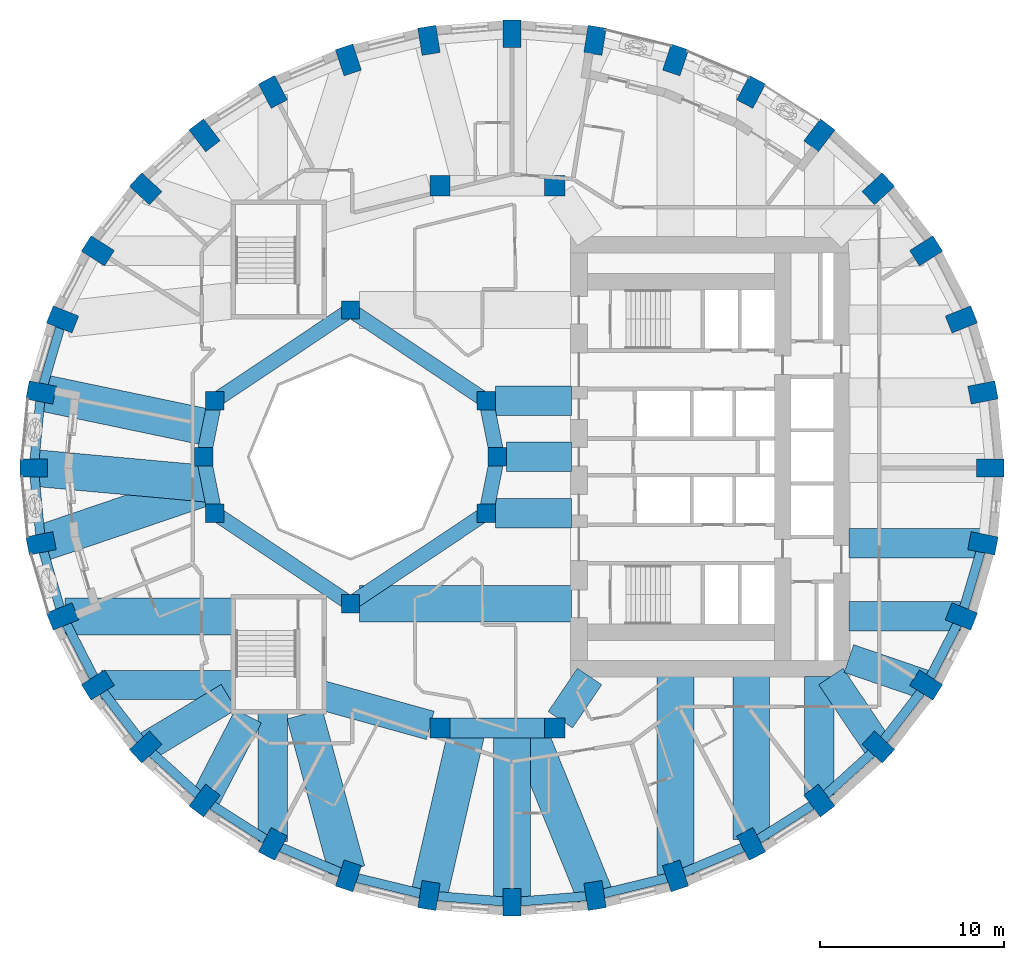
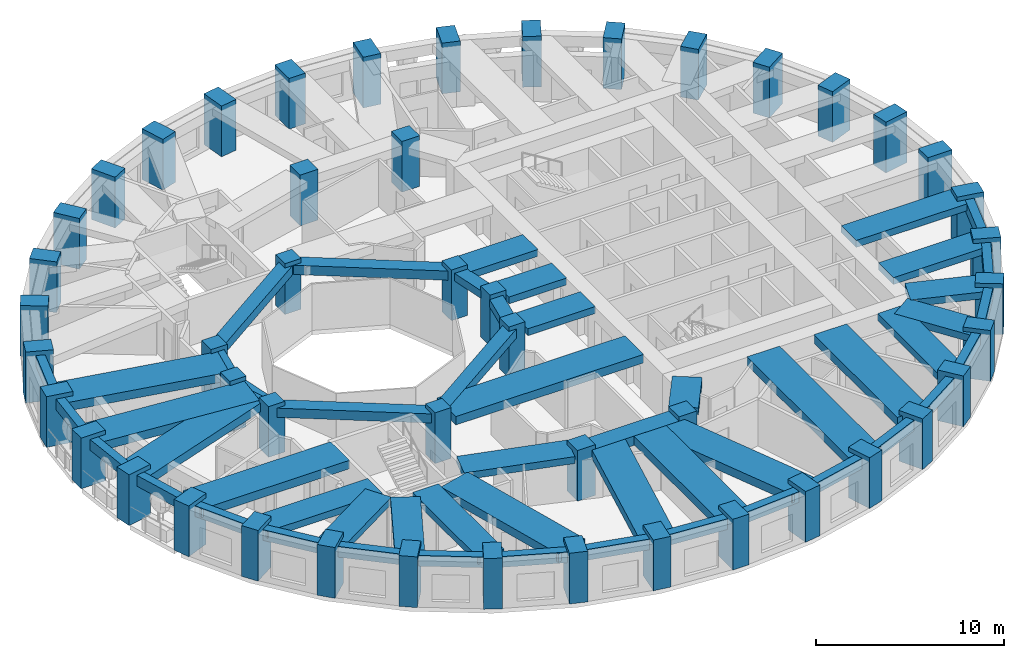
# One storey, part 1 of 12: 53 beams, 48 columns.
"""IFC4 building model written with IfcOpenShell, lengths in metres."""

from ifc_helpers import new_model, si_unit, direction, frame, origin, origin_2d, place, context, subcontext, project, spatial, rectangle, extrude, material, material_profile, profile_set, type_object, element, save


model = new_model("IFC4")

# Units and contexts
model_context = context("Model", 3, precision=1e-05, world=origin(), true_north=direction((0.0, 1.0)))
body_context = subcontext(model_context, "Body", "Model", "MODEL_VIEW")
ifc_project = project(units=[si_unit("LENGTHUNIT", "METRE"), si_unit("AREAUNIT", "SQUARE_METRE"), si_unit("VOLUMEUNIT", "CUBIC_METRE"), si_unit("PLANEANGLEUNIT", "RADIAN"), si_unit("MASSUNIT", "GRAM", prefix="KILO")], contexts=[model_context])

# Site, building, storey
site_placement = place(None, origin())
site = spatial("IfcSite", under=ifc_project, at=site_placement, CompositionType="ELEMENT")
building_placement = place(site_placement, origin())
building = spatial("IfcBuilding", under=site, at=building_placement, Name="Taillehof Tower", CompositionType="ELEMENT")
storey_placement = place(building_placement, frame((0.0, 0.0, 105.39990234375)))
storey = spatial("IfcBuildingStorey", under=building, at=storey_placement, Name="L29", CompositionType="ELEMENT", Elevation=105.39990234375)

# Columns
ifc_material_1 = material(Name="Concrete C50/60", Category="concrete")
ifc_material_profile_1 = material_profile(ifc_material_1, rectangle(XDim=1.0, YDim=1.0, at=origin_2d()), Name="RC 1000x1000")
ifc_profile_set_1 = profile_set([ifc_material_profile_1], Name="Concrete C50/60")
column_type_1 = type_object("IfcColumnType", Name="Atrium ring column C50/60 1000x1000", PredefinedType="COLUMN", material=ifc_profile_set_1)
for number, where, z_axis, x_axis, name in (
    (1, (0.0, 0.0, 0.0), (0.0, 0.0, 1.0), (1.0, 0.0, 0.0), "Column AC01"),
    (2, (-0.60888671875, 3.0615234375, 0.0), (0.0, 0.0, 1.0), (1.0, 0.0, 0.0), "Column AC02"),
    (3, (-8.0, 8.0, 0.0), (0.0, 0.0, 1.0), (1.0, 0.0, 0.0), "Column AC05"),
    (4, (-15.39111328125, 3.0615234375, 0.0), (0.0, 0.0, 1.0), (1.0, 0.0, 0.0), "Column AC08"),
    (5, (-16.0, 0.0, 0.0), (0.0, 0.0, 1.0), (1.0, 0.0, 0.0), "Column AC09"),
    (6, (-15.39111328125, -3.0615234375, 0.0), (0.0, 0.0, 1.0), (1.0, 0.0, 0.0), "Column AC10"),
    (7, (-8.0, -8.0, 0.0), (0.0, 0.0, 1.0), (1.0, 0.0, 0.0), "Column AC13"),
    (8, (-0.60888671875, -3.0615234375, 0.0), (0.0, 0.0, 1.0), (1.0, 0.0, 0.0), "Column AC16"),
):
    element("IfcColumn", number, at=place(storey_placement, frame(where, z_axis=z_axis, x_axis=x_axis)), inside=storey, type_object=column_type_1, Name=name, PredefinedType="COLUMN", context=body_context, shape_type="SweptSolid", body=[
        extrude(rectangle(XDim=1.0, YDim=1.0, at=origin_2d()), origin(), (0.0, 0.0, 1.0), 3.300048828125),
    ])
ifc_material_2 = material(Name="Concrete C50/60", Category="concrete")
ifc_material_profile_2 = material_profile(ifc_material_2, rectangle(XDim=1.10009765625, YDim=1.10009765625, at=origin_2d()), Name="RC 1100x1100")
ifc_profile_set_2 = profile_set([ifc_material_profile_2], Name="Concrete C50/60")
column_type_2 = type_object("IfcColumnType", Name="Mid-ring column C50/60 1100x1100", PredefinedType="COLUMN", material=ifc_profile_set_2)
for number, where, z_axis, x_axis, name in (
    (9, (3.125732421875, 14.772216796875, 0.0), (0.0, 0.0, 1.0), (1.0, 0.0, 0.0), "Column MC05"),
    (10, (-3.125732421875, 14.772216796875, 0.0), (0.0, 0.0, 1.0), (1.0, 0.0, 0.0), "Column MC06"),
    (11, (-3.125732421875, -14.772216796875, 0.0), (0.0, 0.0, 1.0), (1.0, 0.0, 0.0), "Column MC14"),
    (12, (3.125732421875, -14.772216796875, 0.0), (0.0, 0.0, 1.0), (1.0, 0.0, 0.0), "Column MC15"),
):
    element("IfcColumn", number, at=place(storey_placement, frame(where, z_axis=z_axis, x_axis=x_axis)), inside=storey, type_object=column_type_2, Name=name, PredefinedType="COLUMN", context=body_context, shape_type="SweptSolid", body=[
        extrude(rectangle(XDim=1.10009765625, YDim=1.10009765625, at=origin_2d()), origin(), (0.0, 0.0, 1.0), 3.300048828125),
    ])
ifc_material_3 = material(Name="Concrete C70/85", Category="concrete")
ifc_material_profile_3 = material_profile(ifc_material_3, rectangle(XDim=1.5, YDim=1.0, at=origin_2d()), Name="RC 1500x1000")
ifc_profile_set_3 = profile_set([ifc_material_profile_3], Name="Concrete C70/85")
column_type_3 = type_object("IfcColumnType", Name="Ring column C70/85 1500x1000", PredefinedType="COLUMN", material=ifc_profile_set_3)
for number, where, z_axis, x_axis, name in (
    (13, (26.85009765625, -0.60009765625, 0.0), (0.0, 0.0, 1.0), (1.0, 0.0, 0.0), "Ring column RC01"),
    (14, (26.454345703125, 3.5068359375, 0.0), (0.0, 0.0, 1.0), (0.981757466121, 0.190137523166, 0.0), "Ring column RC02"),
    (15, (25.279052734375, 7.48876953125, 0.0), (0.0, 0.0, 1.0), (0.928550110352, 0.371207075048, 0.0), "Ring column RC03"),
    (16, (23.35986328125, 11.22509765625, 0.0), (0.0, 0.0, 1.0), (0.844511454562, 0.535537489923, 0.0), "Ring column RC04"),
    (17, (20.75537109375, 14.60205078125, 0.0), (0.0, 0.0, 1.0), (0.735332034083, 0.677707016085, 0.0), "Ring column RC05"),
    (18, (17.544677734375, 17.516845703125, 0.0), (0.0, 0.0, 1.0), (0.607074228939, 0.794645128694, 0.0), "Ring column RC06"),
    (19, (13.824951171875, 19.881591796875, 0.0), (0.0, 0.0, 1.0), (0.465283017627, 0.885161970211, 0.0), "Ring column RC07"),
    (20, (9.709716796875, 21.623779296875, 0.0), (0.0, 0.0, 1.0), (0.314554972703, 0.949239258116, 0.0), "Ring column RC08"),
    (21, (5.323486328125, 22.690673828125, 0.0), (0.0, 0.0, 1.0), (0.158507038215, 0.987357847407, 0.0), "Ring column RC09"),
    (22, (0.800048828125, 23.050048828125, 0.0), (0.0, 0.0, 1.0), (0.0, 1.0, 0.0), "Ring column RC10"),
    (23, (-3.7236328125, 22.690673828125, 0.0), (0.0, 0.0, 1.0), (-0.158507038215, 0.987357847407, 0.0), "Ring column RC11"),
    (24, (-8.109619140625, 21.623779296875, 0.0), (0.0, 0.0, 1.0), (-0.314554972703, 0.949239258116, 0.0), "Ring column RC12"),
    (25, (-12.22509765625, 19.881591796875, 0.0), (0.0, 0.0, 1.0), (-0.465283017627, 0.885161970211, 0.0), "Ring column RC13"),
    (26, (-15.944580078125, 17.516845703125, 0.0), (0.0, 0.0, 1.0), (-0.607074228939, 0.794645128694, 0.0), "Ring column RC14"),
    (27, (-19.155517578125, 14.60205078125, 0.0), (0.0, 0.0, 1.0), (-0.735332034083, 0.677707016085, 0.0), "Ring column RC15"),
    (28, (-21.760009765625, 11.22509765625, 0.0), (0.0, 0.0, 1.0), (-0.844511454562, 0.535537489923, 0.0), "Ring column RC16"),
    (29, (-23.678955078125, 7.48876953125, 0.0), (0.0, 0.0, 1.0), (-0.928550110352, 0.371207075048, 0.0), "Ring column RC17"),
    (30, (-24.854248046875, 3.5068359375, 0.0), (0.0, 0.0, 1.0), (-0.981757466121, 0.190137523166, 0.0), "Ring column RC18"),
    (31, (-25.25, -0.60009765625, 0.0), (0.0, 0.0, 1.0), (-1.0, 0.0, 0.0), "Ring column RC19"),
    (32, (-24.854248046875, -4.706787109375, 0.0), (0.0, 0.0, 1.0), (-0.981757466121, -0.190137523166, 0.0), "Ring column RC20"),
    (33, (-23.678955078125, -8.688720703125, 0.0), (0.0, 0.0, 1.0), (-0.928550110352, -0.371207075048, 0.0), "Ring column RC21"),
    (34, (-21.760009765625, -12.425048828125, 0.0), (0.0, 0.0, 1.0), (-0.844511454562, -0.535537489923, 0.0), "Ring column RC22"),
    (35, (-19.155517578125, -15.802001953125, 0.0), (0.0, 0.0, 1.0), (-0.735332034083, -0.677707016085, 0.0), "Ring column RC23"),
    (36, (-15.944580078125, -18.717041015625, 0.0), (0.0, 0.0, 1.0), (-0.607074228939, -0.794645128694, 0.0), "Ring column RC24"),
    (37, (-12.22509765625, -21.08154296875, 0.0), (0.0, 0.0, 1.0), (-0.465283017627, -0.885161970211, 0.0), "Ring column RC25"),
    (38, (-8.109619140625, -22.82373046875, 0.0), (0.0, 0.0, 1.0), (-0.314554972703, -0.949239258116, 0.0), "Ring column RC26"),
    (39, (-3.7236328125, -23.890625, 0.0), (0.0, 0.0, 1.0), (-0.158507038215, -0.987357847407, 0.0), "Ring column RC27"),
    (40, (0.800048828125, -24.25, 0.0), (0.0, 0.0, 1.0), (0.0, -1.0, 0.0), "Ring column RC28"),
    (41, (5.323486328125, -23.890625, 0.0), (0.0, 0.0, 1.0), (0.158507038215, -0.987357847407, 0.0), "Ring column RC29"),
    (42, (9.709716796875, -22.82373046875, 0.0), (0.0, 0.0, 1.0), (0.314554972703, -0.949239258116, 0.0), "Ring column RC30"),
    (43, (13.824951171875, -21.08154296875, 0.0), (0.0, 0.0, 1.0), (0.465283017627, -0.885161970211, 0.0), "Ring column RC31"),
    (44, (17.544677734375, -18.717041015625, 0.0), (0.0, 0.0, 1.0), (0.607074228939, -0.794645128694, 0.0), "Ring column RC32"),
    (45, (20.75537109375, -15.802001953125, 0.0), (0.0, 0.0, 1.0), (0.735332034083, -0.677707016085, 0.0), "Ring column RC33"),
    (46, (23.35986328125, -12.425048828125, 0.0), (0.0, 0.0, 1.0), (0.844511454562, -0.535537489923, 0.0), "Ring column RC34"),
    (47, (25.279052734375, -8.688720703125, 0.0), (0.0, 0.0, 1.0), (0.928550110352, -0.371207075048, 0.0), "Ring column RC35"),
    (48, (26.454345703125, -4.706787109375, 0.0), (0.0, 0.0, 1.0), (0.981757466121, -0.190137523166, 0.0), "Ring column RC36"),
):
    element("IfcColumn", number, at=place(storey_placement, frame(where, z_axis=z_axis, x_axis=x_axis)), inside=storey, type_object=column_type_3, Name=name, PredefinedType="COLUMN", context=body_context, shape_type="SweptSolid", body=[
        extrude(rectangle(XDim=1.5, YDim=1.0, at=origin_2d()), origin(), (0.0, 0.0, 1.0), 3.300048828125),
    ])

# Beams
ifc_material_4 = material(Name="Concrete C50/60", Category="concrete")
ifc_material_profile_4 = material_profile(ifc_material_4, rectangle(XDim=0.800048828125, YDim=0.5, at=origin_2d()), Name="RC 800x500")
ifc_profile_set_4 = profile_set([ifc_material_profile_4], Name="Concrete C50/60")
beam_type_1 = type_object("IfcBeamType", Name="Atrium ring beam C50/60 800x500", PredefinedType="BEAM", material=ifc_profile_set_4)
for number, where, z_axis, x_axis, name in (
    (49, (0.0, 0.0, 2.77001953125), (-0.195063155143, 0.980790683839, 0.0), (-0.980790683839, -0.195063155143, 0.0), "Atrium ring beam AB01"),
    (50, (-15.39111328125, 3.0615234375, 2.77001953125), (-0.195063155143, -0.980790683839, 0.0), (0.980790683839, -0.195063155143, 0.0), "Atrium ring beam AB04"),
    (51, (-16.0, 0.0, 2.77001953125), (0.195063155143, -0.980790683839, 0.0), (0.980790683839, 0.195063155143, 0.0), "Atrium ring beam AB05"),
    (52, (-0.60888671875, -3.0615234375, 2.77001953125), (0.195063155143, 0.980790683839, 0.0), (-0.980790683839, 0.195063155143, 0.0), "Atrium ring beam AB08"),
):
    element("IfcBeam", number, at=place(storey_placement, frame(where, z_axis=z_axis, x_axis=x_axis)), inside=storey, type_object=beam_type_1, Name=name, PredefinedType="BEAM", context=body_context, shape_type="SweptSolid", body=[
        extrude(rectangle(XDim=0.800048828125, YDim=0.5, at=origin_2d()), origin(), (0.0, 0.0, 1.0), 3.12158203125),
    ])
ifc_material_5 = material(Name="Concrete C50/60", Category="concrete")
ifc_material_profile_5 = material_profile(ifc_material_5, rectangle(XDim=0.800048828125, YDim=0.60009765625, at=origin_2d()), Name="RC 800x600")
ifc_profile_set_5 = profile_set([ifc_material_profile_5], Name="Concrete C50/60")
beam_type_2 = type_object("IfcBeamType", Name="Atrium ring beam C50/60 800x600", PredefinedType="BEAM", material=ifc_profile_set_5)
for number, where, z_axis, x_axis, name in (
    (53, (-0.60888671875, 3.0615234375, 2.72021484375), (-0.831475195687, 0.555561876804, 0.0), (-0.555561876804, -0.831475195687, 0.0), "Atrium ring beam AB02"),
    (54, (-8.0, 8.0, 2.72021484375), (-0.831475195687, -0.555561876804, 0.0), (0.555561876804, -0.831475195687, 0.0), "Atrium ring beam AB03"),
    (55, (-15.39111328125, -3.0615234375, 2.72021484375), (0.831475195687, -0.555561876804, 0.0), (0.555561876804, 0.831475195687, 0.0), "Atrium ring beam AB06"),
    (56, (-8.0, -8.0, 2.72021484375), (0.831475195687, 0.555561876804, 0.0), (-0.555561876804, 0.831475195687, 0.0), "Atrium ring beam AB07"),
):
    element("IfcBeam", number, at=place(storey_placement, frame(where, z_axis=z_axis, x_axis=x_axis)), inside=storey, type_object=beam_type_2, Name=name, PredefinedType="BEAM", context=body_context, shape_type="SweptSolid", body=[
        extrude(rectangle(XDim=0.800048828125, YDim=0.60009765625, at=origin_2d()), origin(), (0.0, 0.0, 1.0), 8.88916015625),
    ])
ifc_material_6 = material(Name="Concrete C50/60", Category="concrete")
ifc_material_profile_6 = material_profile(ifc_material_6, rectangle(XDim=1.10009765625, YDim=0.60009765625, at=origin_2d()), Name="RC 1100x600")
ifc_profile_set_6 = profile_set([ifc_material_profile_6], Name="Concrete C50/60")
beam_type_3 = type_object("IfcBeamType", Name="Mid-ring beam C50/60 1100x600", PredefinedType="BEAM", material=ifc_profile_set_6)
beam_1_placement = place(storey_placement, frame((-3.125732421875, -14.772216796875, 2.72021484375), z_axis=(1.0, 0.0, 0.0), x_axis=(0.0, 1.0, 0.0)))
element("IfcBeam", 57, at=beam_1_placement, inside=storey, type_object=beam_type_3, Name="Mid-ring beam MB02", PredefinedType="BEAM", context=body_context, shape_type="SweptSolid", body=[
    extrude(rectangle(XDim=1.10009765625, YDim=0.60009765625, at=origin_2d()), origin(), (0.0, 0.0, 1.0), 6.25146484375),
])
ifc_material_7 = material(Name="Concrete C50/60", Category="concrete")
ifc_material_profile_7 = material_profile(ifc_material_7, rectangle(XDim=1.60009765625, YDim=0.449951171875, at=origin_2d()), Name="RC 1600x450")
ifc_profile_set_7 = profile_set([ifc_material_profile_7], Name="Concrete C50/60")
beam_type_4 = type_object("IfcBeamType", Name="Radial band beam C50/60 1600x450", PredefinedType="BEAM", material=ifc_profile_set_7)
beam_2_placement = place(storey_placement, frame((-21.54736328125, -12.425048828125, 2.795166015625), z_axis=(1.0, 0.0, 0.0), x_axis=(0.0, 1.0, 0.0)))
element("IfcBeam", 58, at=beam_2_placement, inside=storey, type_object=beam_type_4, Name="Radial band beam RB22", PredefinedType="BEAM", context=body_context, shape_type="SweptSolid", body=[
    extrude(rectangle(XDim=1.60009765625, YDim=0.449951171875, at=origin_2d()), origin(), (0.0, 0.0, 1.0), 7.097412109375),
])
beam_3_placement = place(storey_placement, frame((-19.155517578125, -15.802001953125, 2.795166015625), z_axis=(0.856794973818, 0.515657224171, 0.0), x_axis=(-0.515657224171, 0.856794973818, 0.0)))
element("IfcBeam", 59, at=beam_3_placement, inside=storey, type_object=beam_type_4, Name="Radial band beam RB23", PredefinedType="BEAM", context=body_context, shape_type="SweptSolid", body=[
    extrude(rectangle(XDim=1.60009765625, YDim=0.449951171875, at=origin_2d()), origin(), (0.0, 0.0, 1.0), 5.28369140625),
])
beam_4_placement = place(storey_placement, frame((-15.944580078125, -18.717041015625, 2.795166015625), z_axis=(0.460119038647, 0.8878572353, 0.0), x_axis=(-0.8878572353, 0.460119038647, 0.0)))
element("IfcBeam", 60, at=beam_4_placement, inside=storey, type_object=beam_type_4, Name="Radial band beam RB24", PredefinedType="BEAM", context=body_context, shape_type="SweptSolid", body=[
    extrude(rectangle(XDim=1.60009765625, YDim=0.449951171875, at=origin_2d()), origin(), (0.0, 0.0, 1.0), 5.1796875),
])
beam_5_placement = place(storey_placement, frame((-12.22509765625, -20.9443359375, 2.795166015625), z_axis=(0.0, 1.0, 0.0), x_axis=(-1.0, 0.0, 0.0)))
element("IfcBeam", 61, at=beam_5_placement, inside=storey, type_object=beam_type_4, Name="Radial band beam RB25", PredefinedType="BEAM", context=body_context, shape_type="SweptSolid", body=[
    extrude(rectangle(XDim=1.60009765625, YDim=0.449951171875, at=origin_2d()), origin(), (0.0, 0.0, 1.0), 6.994384765625),
])
beam_6_placement = place(storey_placement, frame((17.544677734375, -18.421875, 2.795166015625), z_axis=(0.0, 1.0, 0.0), x_axis=(-1.0, 0.0, 0.0)))
element("IfcBeam", 62, at=beam_6_placement, inside=storey, type_object=beam_type_4, Name="Radial band beam RB32", PredefinedType="BEAM", context=body_context, shape_type="SweptSolid", body=[
    extrude(rectangle(XDim=1.60009765625, YDim=0.449951171875, at=origin_2d()), origin(), (0.0, 0.0, 1.0), 6.471923828125),
])
beam_7_placement = place(storey_placement, frame((20.75537109375, -15.802001953125, 2.795166015625), z_axis=(-0.557822939952, 0.829959979555, 0.0), x_axis=(-0.829959979555, -0.557822939952, 0.0)))
element("IfcBeam", 63, at=beam_7_placement, inside=storey, type_object=beam_type_4, Name="Radial band beam RB33", PredefinedType="BEAM", context=body_context, shape_type="SweptSolid", body=[
    extrude(rectangle(XDim=1.60009765625, YDim=0.449951171875, at=origin_2d()), origin(), (0.0, 0.0, 1.0), 4.630859375),
])
beam_8_placement = place(storey_placement, frame((23.35986328125, -12.425048828125, 2.795166015625), z_axis=(-0.946037817118, 0.324056242932, 0.0), x_axis=(-0.324056242932, -0.946037817118, 0.0)))
element("IfcBeam", 64, at=beam_8_placement, inside=storey, type_object=beam_type_4, Name="Radial band beam RB34", PredefinedType="BEAM", context=body_context, shape_type="SweptSolid", body=[
    extrude(rectangle(XDim=1.60009765625, YDim=0.449951171875, at=origin_2d()), origin(), (0.0, 0.0, 1.0), 4.447265625),
])
beam_9_placement = place(storey_placement, frame((25.2275390625, -8.688720703125, 2.795166015625), z_axis=(-1.0, 0.0, 0.0), x_axis=(0.0, -1.0, 0.0)))
element("IfcBeam", 65, at=beam_9_placement, inside=storey, type_object=beam_type_4, Name="Radial band beam RB35", PredefinedType="BEAM", context=body_context, shape_type="SweptSolid", body=[
    extrude(rectangle(XDim=1.60009765625, YDim=0.449951171875, at=origin_2d()), origin(), (0.0, 0.0, 1.0), 6.07763671875),
])
beam_10_placement = place(storey_placement, frame((26.454345703125, -4.706787109375, 2.795166015625), z_axis=(-1.0, 0.0, 0.0), x_axis=(0.0, -1.0, 0.0)))
element("IfcBeam", 66, at=beam_10_placement, inside=storey, type_object=beam_type_4, Name="Radial band beam RB36", PredefinedType="BEAM", context=body_context, shape_type="SweptSolid", body=[
    extrude(rectangle(XDim=1.60009765625, YDim=0.449951171875, at=origin_2d()), origin(), (0.0, 0.0, 1.0), 7.304443359375),
])
beam_11_placement = place(storey_placement, frame((0.5, 0.0, 2.795166015625), z_axis=(1.0, 0.0, 0.0), x_axis=(0.0, 1.0, 0.0)))
element("IfcBeam", 67, at=beam_11_placement, inside=storey, type_object=beam_type_4, Name="Inner band beam IB101", PredefinedType="BEAM", context=body_context, shape_type="SweptSolid", body=[
    extrude(rectangle(XDim=1.60009765625, YDim=0.449951171875, at=origin_2d()), origin(), (0.0, 0.0, 1.0), 3.550048828125),
])
for number, where, z_axis, x_axis, name in (
    (68, (-0.10888671875, 3.0615234375, 2.795166015625), (1.0, 0.0, 0.0), (0.0, 1.0, 0.0), "Inner band beam IB102"),
    (69, (-0.10888671875, -3.0615234375, 2.795166015625), (1.0, 0.0, 0.0), (0.0, 1.0, 0.0), "Inner band beam IB116"),
):
    element("IfcBeam", number, at=place(storey_placement, frame(where, z_axis=z_axis, x_axis=x_axis)), inside=storey, type_object=beam_type_4, Name=name, PredefinedType="BEAM", context=body_context, shape_type="SweptSolid", body=[
        extrude(rectangle(XDim=1.60009765625, YDim=0.449951171875, at=origin_2d()), origin(), (0.0, 0.0, 1.0), 4.158935546875),
    ])
beam_12_placement = place(storey_placement, frame((-3.655517578125, -14.624755859375, 2.795166015625), z_axis=(-0.963459369536, 0.267854518821, 0.0), x_axis=(-0.267854518821, -0.963459369536, 0.0)))
element("IfcBeam", 70, at=beam_12_placement, inside=storey, type_object=beam_type_4, Name="Inner band beam IB214", PredefinedType="BEAM", context=body_context, shape_type="SweptSolid", body=[
    extrude(rectangle(XDim=1.60009765625, YDim=0.449951171875, at=origin_2d()), origin(), (0.0, 0.0, 1.0), 6.096923828125),
])
beam_13_placement = place(storey_placement, frame((3.433837890625, -14.31640625, 2.795166015625), z_axis=(0.560112043398, 0.828416862962, 0.0), x_axis=(-0.828416862962, 0.560112043398, 0.0)))
element("IfcBeam", 71, at=beam_13_placement, inside=storey, type_object=beam_type_4, Name="Inner band beam IB215", PredefinedType="BEAM", context=body_context, shape_type="SweptSolid", body=[
    extrude(rectangle(XDim=1.60009765625, YDim=0.449951171875, at=origin_2d()), origin(), (0.0, 0.0, 1.0), 2.84619140625),
])
ifc_material_8 = material(Name="Concrete C50/60", Category="concrete")
ifc_material_profile_8 = material_profile(ifc_material_8, rectangle(XDim=2.0, YDim=0.550048828125, at=origin_2d()), Name="RC 2000x550")
ifc_profile_set_8 = profile_set([ifc_material_profile_8], Name="Concrete C50/60")
beam_type_5 = type_object("IfcBeamType", Name="Radial band beam C50/60 2000x550", PredefinedType="BEAM", material=ifc_profile_set_8)
beam_14_placement = place(storey_placement, frame((-24.854248046875, 3.5068359375, 2.7451171875), z_axis=(0.978853404319, -0.204562980164, 0.0), x_axis=(0.204562980164, 0.978853404319, 0.0)))
element("IfcBeam", 72, at=beam_14_placement, inside=storey, type_object=beam_type_5, Name="Radial band beam RB18", PredefinedType="BEAM", context=body_context, shape_type="SweptSolid", body=[
    extrude(rectangle(XDim=2.0, YDim=0.550048828125, at=origin_2d()), origin(), (0.0, 0.0, 1.0), 9.36865234375),
])
beam_15_placement = place(storey_placement, frame((-25.25, -0.60009765625, 2.7451171875), z_axis=(0.995859515154, -0.090905588816, 0.0), x_axis=(0.090905588816, 0.995859515154, 0.0)))
element("IfcBeam", 73, at=beam_15_placement, inside=storey, type_object=beam_type_5, Name="Radial band beam RB19", PredefinedType="BEAM", context=body_context, shape_type="SweptSolid", body=[
    extrude(rectangle(XDim=2.0, YDim=0.550048828125, at=origin_2d()), origin(), (0.0, 0.0, 1.0), 9.58251953125),
])
beam_16_placement = place(storey_placement, frame((-24.854248046875, -4.706787109375, 2.7451171875), z_axis=(0.946822052625, 0.321757673822, 0.0), x_axis=(-0.321757673822, 0.946822052625, 0.0)))
element("IfcBeam", 74, at=beam_16_placement, inside=storey, type_object=beam_type_5, Name="Radial band beam RB20", PredefinedType="BEAM", context=body_context, shape_type="SweptSolid", body=[
    extrude(rectangle(XDim=2.0, YDim=0.550048828125, at=origin_2d()), origin(), (0.0, 0.0, 1.0), 9.685791015625),
])
beam_17_placement = place(storey_placement, frame((-23.54736328125, -8.688720703125, 2.7451171875), z_axis=(1.0, 0.0, 0.0), x_axis=(0.0, 1.0, 0.0)))
element("IfcBeam", 75, at=beam_17_placement, inside=storey, type_object=beam_type_5, Name="Radial band beam RB21", PredefinedType="BEAM", context=body_context, shape_type="SweptSolid", body=[
    extrude(rectangle(XDim=2.0, YDim=0.550048828125, at=origin_2d()), origin(), (0.0, 0.0, 1.0), 9.097412109375),
])
beam_18_placement = place(storey_placement, frame((-8.186767578125, -22.539306640625, 2.7451171875), z_axis=(-0.261461600872, 0.965213878511, 0.0), x_axis=(-0.965213878511, -0.261461600872, 0.0)))
element("IfcBeam", 76, at=beam_18_placement, inside=storey, type_object=beam_type_5, Name="Radial band beam RB26", PredefinedType="BEAM", context=body_context, shape_type="SweptSolid", body=[
    extrude(rectangle(XDim=2.0, YDim=0.550048828125, at=origin_2d()), origin(), (0.0, 0.0, 1.0), 8.835205078125),
])
beam_19_placement = place(storey_placement, frame((-3.7236328125, -23.890625, 2.7451171875), z_axis=(0.224215346781, 0.974539623755, 0.0), x_axis=(-0.974539623755, 0.224215346781, 0.0)))
element("IfcBeam", 77, at=beam_19_placement, inside=storey, type_object=beam_type_5, Name="Radial band beam RB27", PredefinedType="BEAM", context=body_context, shape_type="SweptSolid", body=[
    extrude(rectangle(XDim=2.0, YDim=0.550048828125, at=origin_2d()), origin(), (0.0, 0.0, 1.0), 9.356689453125),
])
beam_20_placement = place(storey_placement, frame((0.800048828125, -24.25, 2.7451171875), z_axis=(0.0, 1.0, 0.0), x_axis=(-1.0, 0.0, 0.0)))
element("IfcBeam", 78, at=beam_20_placement, inside=storey, type_object=beam_type_5, Name="Radial band beam RB28", PredefinedType="BEAM", context=body_context, shape_type="SweptSolid", body=[
    extrude(rectangle(XDim=2.0, YDim=0.550048828125, at=origin_2d()), origin(), (0.0, 0.0, 1.0), 9.477783203125),
])
beam_21_placement = place(storey_placement, frame((5.323486328125, -23.890625, 2.7451171875), z_axis=(-0.375801287916, 0.926700270854, 0.0), x_axis=(-0.926700270854, -0.375801287916, 0.0)))
element("IfcBeam", 79, at=beam_21_placement, inside=storey, type_object=beam_type_5, Name="Radial band beam RB29", PredefinedType="BEAM", context=body_context, shape_type="SweptSolid", body=[
    extrude(rectangle(XDim=2.0, YDim=0.550048828125, at=origin_2d()), origin(), (0.0, 0.0, 1.0), 9.839599609375),
])
beam_22_placement = place(storey_placement, frame((9.709716796875, -22.756591796875, 2.7451171875), z_axis=(0.0, 1.0, 0.0), x_axis=(-1.0, 0.0, 0.0)))
element("IfcBeam", 80, at=beam_22_placement, inside=storey, type_object=beam_type_5, Name="Radial band beam RB30", PredefinedType="BEAM", context=body_context, shape_type="SweptSolid", body=[
    extrude(rectangle(XDim=2.0, YDim=0.550048828125, at=origin_2d()), origin(), (0.0, 0.0, 1.0), 10.806640625),
])
beam_23_placement = place(storey_placement, frame((13.824951171875, -20.839599609375, 2.7451171875), z_axis=(0.0, 1.0, 0.0), x_axis=(-1.0, 0.0, 0.0)))
element("IfcBeam", 81, at=beam_23_placement, inside=storey, type_object=beam_type_5, Name="Radial band beam RB31", PredefinedType="BEAM", context=body_context, shape_type="SweptSolid", body=[
    extrude(rectangle(XDim=2.0, YDim=0.550048828125, at=origin_2d()), origin(), (0.0, 0.0, 1.0), 8.8896484375),
])
beam_24_placement = place(storey_placement, frame((-7.5, -8.0, 2.7451171875), z_axis=(1.0, 0.0, 0.0), x_axis=(0.0, 1.0, 0.0)))
element("IfcBeam", 82, at=beam_24_placement, inside=storey, type_object=beam_type_5, Name="Inner band beam IB113", PredefinedType="BEAM", context=body_context, shape_type="SweptSolid", body=[
    extrude(rectangle(XDim=2.0, YDim=0.550048828125, at=origin_2d()), origin(), (0.0, 0.0, 1.0), 11.550048828125),
])
ifc_material_9 = material(Name="Concrete C50/60", Category="concrete")
ifc_material_profile_9 = material_profile(ifc_material_9, rectangle(XDim=0.5, YDim=0.699951171875, at=origin_2d()), Name="RC 500x700")
ifc_profile_set_9 = profile_set([ifc_material_profile_9], Name="Concrete C50/60")
beam_type_6 = type_object("IfcBeamType", Name="Spandrel beam C50/60 500x700", PredefinedType="SPANDREL", material=ifc_profile_set_9)
beam_25_placement = place(storey_placement, frame((-23.678955078125, 7.48876953125, 2.670166015625), z_axis=(-0.28308309012, -0.95909538842, 0.0), x_axis=(0.95909538842, -0.28308309012, 0.0)))
element("IfcBeam", 83, at=beam_25_placement, inside=storey, type_object=beam_type_6, Name="Spandrel beam SB17", PredefinedType="SPANDREL", context=body_context, shape_type="SweptSolid", body=[
    extrude(rectangle(XDim=0.5, YDim=0.699951171875, at=origin_2d()), origin(), (0.0, 0.0, 1.0), 4.15185546875),
])
beam_26_placement = place(storey_placement, frame((-24.854248046875, 3.5068359375, 2.670166015625), z_axis=(-0.095917608943, -0.995389276763, 0.0), x_axis=(0.995389276763, -0.095917608943, 0.0)))
element("IfcBeam", 84, at=beam_26_placement, inside=storey, type_object=beam_type_6, Name="Spandrel beam SB18", PredefinedType="SPANDREL", context=body_context, shape_type="SweptSolid", body=[
    extrude(rectangle(XDim=0.5, YDim=0.699951171875, at=origin_2d()), origin(), (0.0, 0.0, 1.0), 4.1259765625),
])
beam_27_placement = place(storey_placement, frame((-25.25, -0.60009765625, 2.670166015625), z_axis=(0.09592325873, -0.995388732323, 0.0), x_axis=(0.995388732323, 0.09592325873, 0.0)))
element("IfcBeam", 85, at=beam_27_placement, inside=storey, type_object=beam_type_6, Name="Spandrel beam SB19", PredefinedType="SPANDREL", context=body_context, shape_type="SweptSolid", body=[
    extrude(rectangle(XDim=0.5, YDim=0.699951171875, at=origin_2d()), origin(), (0.0, 0.0, 1.0), 4.125732421875),
])
beam_28_placement = place(storey_placement, frame((-24.854248046875, -4.706787109375, 2.670166015625), z_axis=(0.28308309012, -0.95909538842, 0.0), x_axis=(0.95909538842, 0.28308309012, 0.0)))
element("IfcBeam", 86, at=beam_28_placement, inside=storey, type_object=beam_type_6, Name="Spandrel beam SB20", PredefinedType="SPANDREL", context=body_context, shape_type="SweptSolid", body=[
    extrude(rectangle(XDim=0.5, YDim=0.699951171875, at=origin_2d()), origin(), (0.0, 0.0, 1.0), 4.15185546875),
])
beam_29_placement = place(storey_placement, frame((-23.678955078125, -8.688720703125, 2.670166015625), z_axis=(0.456859381733, -0.889538928503, 0.0), x_axis=(0.889538928503, 0.456859381733, 0.0)))
element("IfcBeam", 87, at=beam_29_placement, inside=storey, type_object=beam_type_6, Name="Spandrel beam SB21", PredefinedType="SPANDREL", context=body_context, shape_type="SweptSolid", body=[
    extrude(rectangle(XDim=0.5, YDim=0.699951171875, at=origin_2d()), origin(), (0.0, 0.0, 1.0), 4.2001953125),
])
beam_30_placement = place(storey_placement, frame((-21.760009765625, -12.425048828125, 2.670166015625), z_axis=(0.61071731561, -0.79184869793, 0.0), x_axis=(0.79184869793, 0.61071731561, 0.0)))
element("IfcBeam", 88, at=beam_30_placement, inside=storey, type_object=beam_type_6, Name="Spandrel beam SB22", PredefinedType="SPANDREL", context=body_context, shape_type="SweptSolid", body=[
    extrude(rectangle(XDim=0.5, YDim=0.699951171875, at=origin_2d()), origin(), (0.0, 0.0, 1.0), 4.2646484375),
])
beam_31_placement = place(storey_placement, frame((-19.155517578125, -15.802001953125, 2.670166015625), z_axis=(0.740398416885, -0.672168270803, 0.0), x_axis=(0.672168270803, 0.740398416885, 0.0)))
element("IfcBeam", 89, at=beam_31_placement, inside=storey, type_object=beam_type_6, Name="Spandrel beam SB23", PredefinedType="SPANDREL", context=body_context, shape_type="SweptSolid", body=[
    extrude(rectangle(XDim=0.5, YDim=0.699951171875, at=origin_2d()), origin(), (0.0, 0.0, 1.0), 4.336669921875),
])
beam_32_placement = place(storey_placement, frame((-15.944580078125, -18.717041015625, 2.670166015625), z_axis=(0.843912293293, -0.536481165773, 0.0), x_axis=(0.536481165773, 0.843912293293, 0.0)))
element("IfcBeam", 90, at=beam_32_placement, inside=storey, type_object=beam_type_6, Name="Spandrel beam SB24", PredefinedType="SPANDREL", context=body_context, shape_type="SweptSolid", body=[
    extrude(rectangle(XDim=0.5, YDim=0.699951171875, at=origin_2d()), origin(), (0.0, 0.0, 1.0), 4.407470703125),
])
beam_33_placement = place(storey_placement, frame((-12.22509765625, -21.08154296875, 2.670166015625), z_axis=(0.920885046825, -0.389834234688, 0.0), x_axis=(0.389834234688, 0.920885046825, 0.0)))
element("IfcBeam", 91, at=beam_33_placement, inside=storey, type_object=beam_type_6, Name="Spandrel beam SB25", PredefinedType="SPANDREL", context=body_context, shape_type="SweptSolid", body=[
    extrude(rectangle(XDim=0.5, YDim=0.699951171875, at=origin_2d()), origin(), (0.0, 0.0, 1.0), 4.468994140625),
])
beam_34_placement = place(storey_placement, frame((-8.109619140625, -22.82373046875, 2.670166015625), z_axis=(0.971665924588, -0.236358479847, 0.0), x_axis=(0.236358479847, 0.971665924588, 0.0)))
element("IfcBeam", 92, at=beam_34_placement, inside=storey, type_object=beam_type_6, Name="Spandrel beam SB26", PredefinedType="SPANDREL", context=body_context, shape_type="SweptSolid", body=[
    extrude(rectangle(XDim=0.5, YDim=0.699951171875, at=origin_2d()), origin(), (0.0, 0.0, 1.0), 4.513916015625),
])
beam_35_placement = place(storey_placement, frame((-3.7236328125, -23.890625, 2.670166015625), z_axis=(0.996859260648, -0.079193525375, 0.0), x_axis=(0.079193525375, 0.996859260648, 0.0)))
element("IfcBeam", 93, at=beam_35_placement, inside=storey, type_object=beam_type_6, Name="Spandrel beam SB27", PredefinedType="SPANDREL", context=body_context, shape_type="SweptSolid", body=[
    extrude(rectangle(XDim=0.5, YDim=0.699951171875, at=origin_2d()), origin(), (0.0, 0.0, 1.0), 4.537841796875),
])
beam_36_placement = place(storey_placement, frame((0.800048828125, -24.25, 2.670166015625), z_axis=(0.996858923208, 0.079197772828, 0.0), x_axis=(-0.079197772828, 0.996858923208, 0.0)))
element("IfcBeam", 94, at=beam_36_placement, inside=storey, type_object=beam_type_6, Name="Spandrel beam SB28", PredefinedType="SPANDREL", context=body_context, shape_type="SweptSolid", body=[
    extrude(rectangle(XDim=0.5, YDim=0.699951171875, at=origin_2d()), origin(), (0.0, 0.0, 1.0), 4.53759765625),
])
beam_37_placement = place(storey_placement, frame((5.323486328125, -23.890625, 2.670166015625), z_axis=(0.971668945916, 0.23634605887, 0.0), x_axis=(-0.23634605887, 0.971668945916, 0.0)))
element("IfcBeam", 95, at=beam_37_placement, inside=storey, type_object=beam_type_6, Name="Spandrel beam SB29", PredefinedType="SPANDREL", context=body_context, shape_type="SweptSolid", body=[
    extrude(rectangle(XDim=0.5, YDim=0.699951171875, at=origin_2d()), origin(), (0.0, 0.0, 1.0), 4.51416015625),
])
beam_38_placement = place(storey_placement, frame((9.709716796875, -22.82373046875, 2.670166015625), z_axis=(0.920876744153, 0.389853847074, 0.0), x_axis=(-0.389853847074, 0.920876744153, 0.0)))
element("IfcBeam", 96, at=beam_38_placement, inside=storey, type_object=beam_type_6, Name="Spandrel beam SB30", PredefinedType="SPANDREL", context=body_context, shape_type="SweptSolid", body=[
    extrude(rectangle(XDim=0.5, YDim=0.699951171875, at=origin_2d()), origin(), (0.0, 0.0, 1.0), 4.46875),
])
beam_39_placement = place(storey_placement, frame((13.824951171875, -21.08154296875, 2.670166015625), z_axis=(0.843928234947, 0.536456087914, 0.0), x_axis=(-0.536456087914, 0.843928234947, 0.0)))
element("IfcBeam", 97, at=beam_39_placement, inside=storey, type_object=beam_type_6, Name="Spandrel beam SB31", PredefinedType="SPANDREL", context=body_context, shape_type="SweptSolid", body=[
    extrude(rectangle(XDim=0.5, YDim=0.699951171875, at=origin_2d()), origin(), (0.0, 0.0, 1.0), 4.40771484375),
])
beam_40_placement = place(storey_placement, frame((17.544677734375, -18.717041015625, 2.670166015625), z_axis=(0.740372980414, 0.672196288202, 0.0), x_axis=(-0.672196288202, 0.740372980414, 0.0)))
element("IfcBeam", 98, at=beam_40_placement, inside=storey, type_object=beam_type_6, Name="Spandrel beam SB32", PredefinedType="SPANDREL", context=body_context, shape_type="SweptSolid", body=[
    extrude(rectangle(XDim=0.5, YDim=0.699951171875, at=origin_2d()), origin(), (0.0, 0.0, 1.0), 4.336669921875),
])
beam_41_placement = place(storey_placement, frame((20.75537109375, -15.802001953125, 2.670166015625), z_axis=(0.61071731561, 0.79184869793, 0.0), x_axis=(-0.79184869793, 0.61071731561, 0.0)))
element("IfcBeam", 99, at=beam_41_placement, inside=storey, type_object=beam_type_6, Name="Spandrel beam SB33", PredefinedType="SPANDREL", context=body_context, shape_type="SweptSolid", body=[
    extrude(rectangle(XDim=0.5, YDim=0.699951171875, at=origin_2d()), origin(), (0.0, 0.0, 1.0), 4.2646484375),
])
beam_42_placement = place(storey_placement, frame((23.35986328125, -12.425048828125, 2.670166015625), z_axis=(0.456905372708, 0.88951530644, 0.0), x_axis=(-0.88951530644, 0.456905372708, 0.0)))
element("IfcBeam", 100, at=beam_42_placement, inside=storey, type_object=beam_type_6, Name="Spandrel beam SB34", PredefinedType="SPANDREL", context=body_context, shape_type="SweptSolid", body=[
    extrude(rectangle(XDim=0.5, YDim=0.699951171875, at=origin_2d()), origin(), (0.0, 0.0, 1.0), 4.200439453125),
])
beam_43_placement = place(storey_placement, frame((25.279052734375, -8.688720703125, 2.670166015625), z_axis=(0.28308309012, 0.95909538842, 0.0), x_axis=(-0.95909538842, 0.28308309012, 0.0)))
element("IfcBeam", 101, at=beam_43_placement, inside=storey, type_object=beam_type_6, Name="Spandrel beam SB35", PredefinedType="SPANDREL", context=body_context, shape_type="SweptSolid", body=[
    extrude(rectangle(XDim=0.5, YDim=0.699951171875, at=origin_2d()), origin(), (0.0, 0.0, 1.0), 4.15185546875),
])

save(model, "model.ifc")
